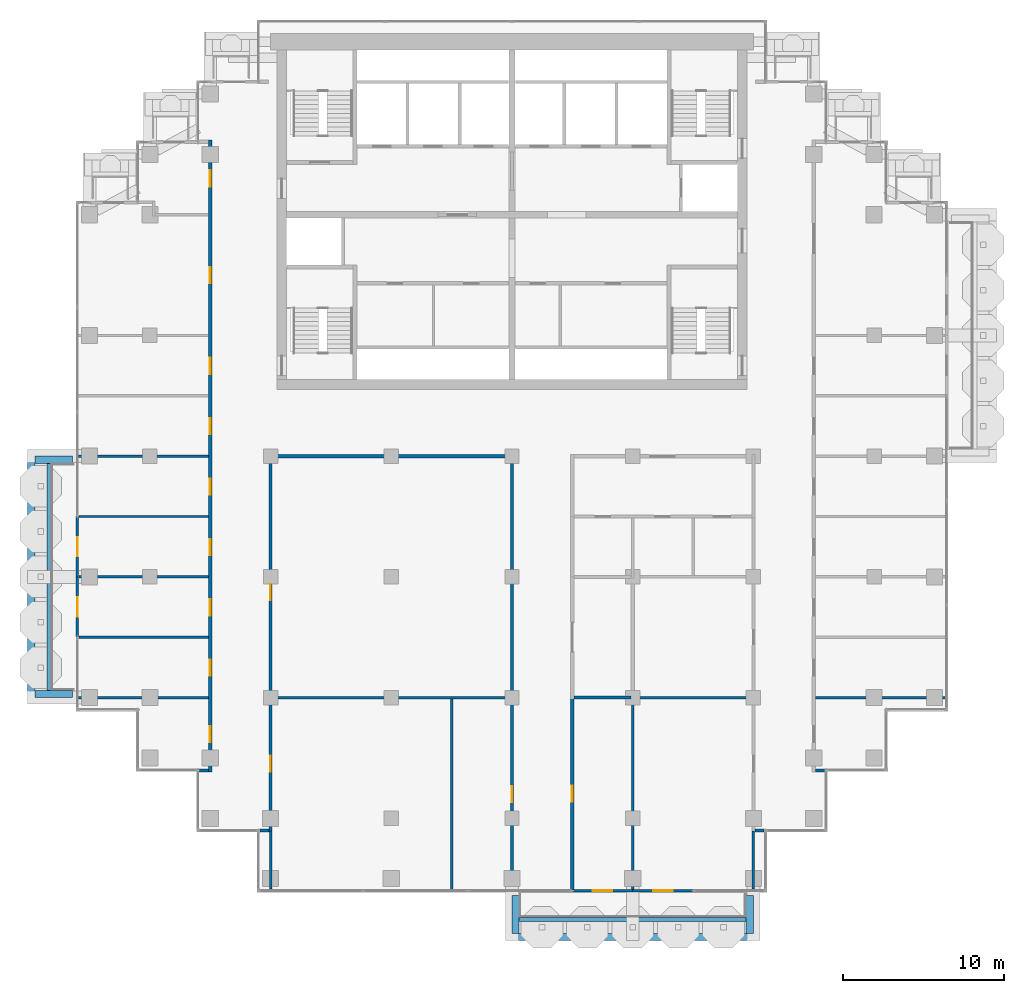
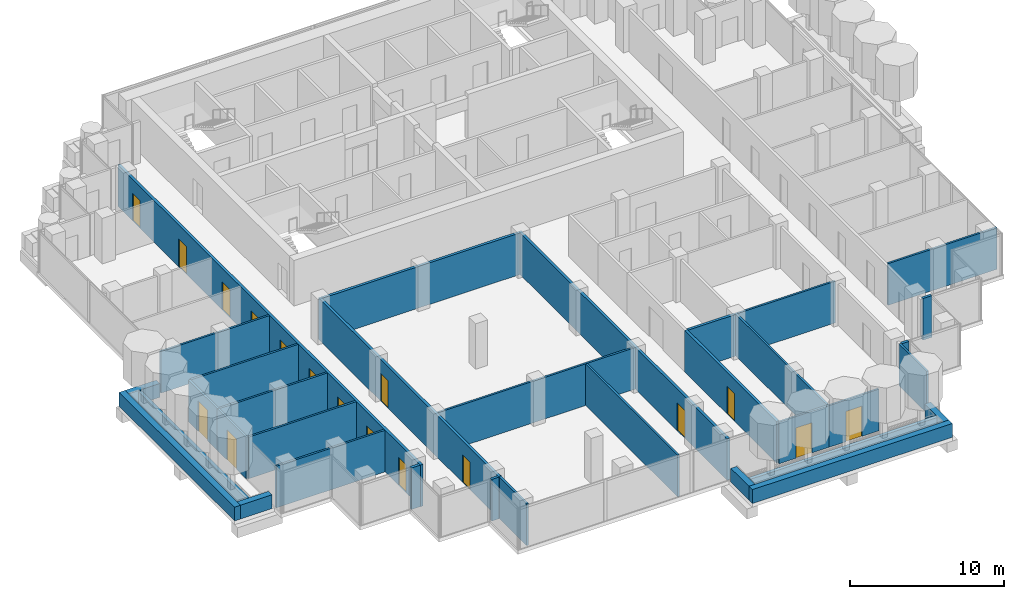
# One storey, part 11 of 19: 34 walls, 17 doors, 17 openings.
"""IFC4 building model written with IfcOpenShell, lengths in metres."""

from ifc_helpers import new_model, si_unit, direction, frame, frame_2d, origin, place, context, subcontext, project, spatial, rectangle, extrude, material, layer, layer_set, type_object, element, fill, save


model = new_model("IFC4")

# Units and contexts
model_context = context("Model", 3, precision=1e-05, world=origin(), true_north=direction((0.0, 1.0)))
body_context = subcontext(model_context, "Body", "Model", "MODEL_VIEW")
ifc_project = project(units=[si_unit("LENGTHUNIT", "METRE"), si_unit("AREAUNIT", "SQUARE_METRE"), si_unit("VOLUMEUNIT", "CUBIC_METRE"), si_unit("PLANEANGLEUNIT", "RADIAN"), si_unit("MASSUNIT", "GRAM", prefix="KILO")], contexts=[model_context])

# Site, building, storey
site_placement = place(None, origin())
site = spatial("IfcSite", under=ifc_project, at=site_placement, CompositionType="ELEMENT")
building_placement = place(site_placement, origin())
building = spatial("IfcBuilding", under=site, at=building_placement, Name="Pilkhan Gate Tower", CompositionType="ELEMENT")
storey_placement = place(building_placement, frame((0.0, 0.0, 217.5)))
storey = spatial("IfcBuildingStorey", under=building, at=storey_placement, Name="L56", CompositionType="ELEMENT", Elevation=217.5)

# Walls
ifc_material_1 = material(Name="Concrete C40/50", Category="concrete")
ifc_layer_1 = layer(ifc_material_1, 0.25)
ifc_layer_set_1 = layer_set([ifc_layer_1], Name="Balcony planter BP250")
wall_type_1 = type_object("IfcWallType", Name="Balcony planter BP250", PredefinedType="USERDEFINED", material=ifc_layer_set_1)
for number, where, z_axis, x_axis, name in (
    (1, (75.449951171875, 38.72509765625, 0.0), (0.0, 0.0, 1.0), (1.0, 0.0, 0.0), "Balcony planter L56 S"),
    (2, (46.22509765625, 52.949951171875, 0.0), (0.0, 0.0, 1.0), (0.0, 1.0, 0.0), "Balcony planter L56 W"),
):
    element("IfcWall", number, at=place(storey_placement, frame(where, z_axis=z_axis, x_axis=x_axis)), inside=storey, type_object=wall_type_1, Name=name, ObjectType="BALCONY PLANTER", PredefinedType="USERDEFINED", context=body_context, shape_type="SweptSolid", body=[
        extrude(rectangle(XDim=14.10009765625, YDim=0.25, at=frame_2d((7.050048828125, 0.0))), origin(), (0.0, 0.0, 1.0), 1.0),
    ])
ifc_material_2 = material(Name="Board-marked Concrete C40/50", Category="concrete")
ifc_layer_2 = layer(ifc_material_2, 0.449951171875)
ifc_layer_set_2 = layer_set([ifc_layer_2], Name="Balcony planter lip BL450")
wall_type_2 = type_object("IfcWallType", Name="Balcony planter lip BL450", PredefinedType="USERDEFINED", material=ifc_layer_set_2)
wall_1_placement = place(storey_placement, frame((75.0, 37.625, 0.0), z_axis=(0.0, 0.0, 1.0), x_axis=(1.0, 0.0, 0.0)))
element("IfcWall", 3, at=wall_1_placement, inside=storey, type_object=wall_type_2, Name="Balcony planter L56 S", ObjectType="BALCONY PLANTER", PredefinedType="USERDEFINED", context=body_context, shape_type="SweptSolid", body=[
    extrude(rectangle(XDim=15.0, YDim=0.449951171875, at=frame_2d((7.5, 0.0))), origin(), (0.0, 0.0, 1.0), 1.10009765625),
])
for number, where, z_axis, x_axis, name in (
    (4, (75.22509765625, 40.199951171875, 0.0), (0.0, 0.0, 1.0), (0.0, -1.0, 0.0), "Balcony planter L56 S"),
    (5, (89.77490234375, 40.199951171875, 0.0), (0.0, 0.0, 1.0), (0.0, -1.0, 0.0), "Balcony planter L56 S"),
):
    element("IfcWall", number, at=place(storey_placement, frame(where, z_axis=z_axis, x_axis=x_axis)), inside=storey, type_object=wall_type_2, Name=name, ObjectType="BALCONY PLANTER", PredefinedType="USERDEFINED", context=body_context, shape_type="SweptSolid", body=[
        extrude(rectangle(XDim=2.349853515625, YDim=0.449951171875, at=frame_2d((1.1748046875, 0.0))), origin(), (0.0, 0.0, 1.0), 1.10009765625),
    ])
wall_2_placement = place(storey_placement, frame((45.125, 52.5, 0.0), z_axis=(0.0, 0.0, 1.0), x_axis=(0.0, 1.0, 0.0)))
element("IfcWall", 6, at=wall_2_placement, inside=storey, type_object=wall_type_2, Name="Balcony planter L56 W", ObjectType="BALCONY PLANTER", PredefinedType="USERDEFINED", context=body_context, shape_type="SweptSolid", body=[
    extrude(rectangle(XDim=15.0, YDim=0.449951171875, at=frame_2d((7.5, 0.0))), origin(), (0.0, 0.0, 1.0), 1.10009765625),
])
for number, where, z_axis, x_axis, name in (
    (7, (47.699951171875, 52.72509765625, 0.0), (0.0, 0.0, 1.0), (-1.0, 0.0, 0.0), "Balcony planter L56 W"),
    (8, (47.699951171875, 67.27490234375, 0.0), (0.0, 0.0, 1.0), (-1.0, 0.0, 0.0), "Balcony planter L56 W"),
):
    element("IfcWall", number, at=place(storey_placement, frame(where, z_axis=z_axis, x_axis=x_axis)), inside=storey, type_object=wall_type_2, Name=name, ObjectType="BALCONY PLANTER", PredefinedType="USERDEFINED", context=body_context, shape_type="SweptSolid", body=[
        extrude(rectangle(XDim=2.349853515625, YDim=0.449951171875, at=frame_2d((1.1748046875, 0.0))), origin(), (0.0, 0.0, 1.0), 1.10009765625),
    ])
ifc_material_3 = material(Name="Dense blockwork", Category="masonry")
ifc_layer_3 = layer(ifc_material_3, 0.199951171875)
ifc_layer_set_3 = layer_set([ifc_layer_3], Name="Corridor wall FW200")
wall_type_3 = type_object("IfcWallType", Name="Corridor wall FW200", PredefinedType="PARTITIONING", material=ifc_layer_set_3)
for number, where, z_axis, x_axis, name in (
    (9, (59.35498046875, 44.235107421875, 0.0), (0.0, 0.0, 1.0), (1.0, 0.0, 0.0), "Partition L56"),
    (10, (90.10009765625, 44.235107421875, 0.0), (0.0, 0.0, 1.0), (1.0, 0.0, 0.0), "Partition L56"),
):
    element("IfcWall", number, at=place(storey_placement, frame(where, z_axis=z_axis, x_axis=x_axis)), inside=storey, type_object=wall_type_3, Name=name, PredefinedType="PARTITIONING", context=body_context, shape_type="SweptSolid", body=[
        extrude(rectangle(XDim=0.544921875, YDim=0.199951171875, at=frame_2d((0.2724609375, 0.0))), origin(), (0.0, 0.0, 1.0), 3.300048828125),
    ])
for number, where, z_axis, x_axis, name in (
    (11, (55.485107421875, 47.969970703125, 0.0), (0.0, 0.0, 1.0), (1.0, 0.0, 0.0), "Partition L56"),
    (12, (93.85009765625, 47.969970703125, 0.0), (0.0, 0.0, 1.0), (1.0, 0.0, 0.0), "Partition L56"),
):
    element("IfcWall", number, at=place(storey_placement, frame(where, z_axis=z_axis, x_axis=x_axis)), inside=storey, type_object=wall_type_3, Name=name, PredefinedType="PARTITIONING", context=body_context, shape_type="SweptSolid", body=[
        extrude(rectangle(XDim=0.664794921875, YDim=0.199951171875, at=frame_2d((0.33251953125, 0.0))), origin(), (0.0, 0.0, 1.0), 3.300048828125),
    ])
wall_3_placement = place(storey_placement, frame((60.10009765625, 67.5, 0.0), z_axis=(0.0, 0.0, 1.0), x_axis=(1.0, 0.0, 0.0)))
element("IfcWall", 13, at=wall_3_placement, inside=storey, type_object=wall_type_3, Name="Partition L56", PredefinedType="PARTITIONING", context=body_context, shape_type="SweptSolid", body=[
    extrude(rectangle(XDim=14.7998046875, YDim=0.199951171875, at=frame_2d((7.39990234375, 0.0))), origin(), (0.0, 0.0, 1.0), 3.300048828125),
])

# Wall, openings, doors
wall_4_placement = place(storey_placement, frame((56.25, 47.8701171875, 0.0), z_axis=(0.0, 0.0, 1.0), x_axis=(0.0, 1.0, 0.0)))
wall_4 = element("IfcWall", 14, at=wall_4_placement, inside=storey, type_object=wall_type_3, Name="Partition L56", PredefinedType="PARTITIONING", context=body_context, shape_type="SweptSolid", body=[
    extrude(rectangle(XDim=39.259765625, YDim=0.199951171875, at=frame_2d((19.6298828125, 0.0))), origin(), (0.0, 0.0, 1.0), 3.300048828125),
])
opening_1_placement = place(wall_4_placement, frame((1.85009765625, 0.0, 0.0)))
opening_1 = element("IfcOpeningElement", 15, at=opening_1_placement, cuts=wall_4, Name="Opening L56-23", PredefinedType="OPENING", context=body_context, shape_type="SweptSolid", body=[
    extrude(rectangle(XDim=1.0, YDim=2.199951171875, at=frame_2d((0.5, 1.10009765625))), frame((0.0, 0.10986328125, 0.0), z_axis=(0.0, -1.0, 0.0), x_axis=(1.0, 0.0, 0.0)), (0.0, 0.0, 1.0), 0.219970703125),
])
opening_2_placement = place(wall_4_placement, frame((5.97998046875, 0.0, 0.0)))
opening_2 = element("IfcOpeningElement", 16, at=opening_2_placement, cuts=wall_4, Name="Opening L56-24", PredefinedType="OPENING", context=body_context, shape_type="SweptSolid", body=[
    extrude(rectangle(XDim=1.0, YDim=2.199951171875, at=frame_2d((0.5, 1.10009765625))), frame((0.0, 0.10986328125, 0.0), z_axis=(0.0, -1.0, 0.0), x_axis=(1.0, 0.0, 0.0)), (0.0, 0.0, 1.0), 0.219970703125),
])
opening_3_placement = place(wall_4_placement, frame((9.72998046875, 0.0, 0.0)))
opening_3 = element("IfcOpeningElement", 17, at=opening_3_placement, cuts=wall_4, Name="Opening L56-25", PredefinedType="OPENING", context=body_context, shape_type="SweptSolid", body=[
    extrude(rectangle(XDim=1.0, YDim=2.199951171875, at=frame_2d((0.5, 1.10009765625))), frame((0.0, 0.10986328125, 0.0), z_axis=(0.0, -1.0, 0.0), x_axis=(1.0, 0.0, 0.0)), (0.0, 0.0, 1.0), 0.219970703125),
])
opening_4_placement = place(wall_4_placement, frame((13.47998046875, 0.0, 0.0)))
opening_4 = element("IfcOpeningElement", 18, at=opening_4_placement, cuts=wall_4, Name="Opening L56-26", PredefinedType="OPENING", context=body_context, shape_type="SweptSolid", body=[
    extrude(rectangle(XDim=1.0, YDim=2.199951171875, at=frame_2d((0.5, 1.10009765625))), frame((0.0, 0.10986328125, 0.0), z_axis=(0.0, -1.0, 0.0), x_axis=(1.0, 0.0, 0.0)), (0.0, 0.0, 1.0), 0.219970703125),
])
opening_5_placement = place(wall_4_placement, frame((17.22998046875, 0.0, 0.0)))
opening_5 = element("IfcOpeningElement", 19, at=opening_5_placement, cuts=wall_4, Name="Opening L56-27", PredefinedType="OPENING", context=body_context, shape_type="SweptSolid", body=[
    extrude(rectangle(XDim=1.0, YDim=2.199951171875, at=frame_2d((0.5, 1.10009765625))), frame((0.0, 0.10986328125, 0.0), z_axis=(0.0, -1.0, 0.0), x_axis=(1.0, 0.0, 0.0)), (0.0, 0.0, 1.0), 0.219970703125),
])
opening_6_placement = place(wall_4_placement, frame((20.97998046875, 0.0, 0.0)))
opening_6 = element("IfcOpeningElement", 20, at=opening_6_placement, cuts=wall_4, Name="Opening L56-28", PredefinedType="OPENING", context=body_context, shape_type="SweptSolid", body=[
    extrude(rectangle(XDim=1.0, YDim=2.199951171875, at=frame_2d((0.5, 1.10009765625))), frame((0.0, 0.10986328125, 0.0), z_axis=(0.0, -1.0, 0.0), x_axis=(1.0, 0.0, 0.0)), (0.0, 0.0, 1.0), 0.219970703125),
])
opening_7_placement = place(wall_4_placement, frame((24.72998046875, 0.0, 0.0)))
opening_7 = element("IfcOpeningElement", 21, at=opening_7_placement, cuts=wall_4, Name="Opening L56-29", PredefinedType="OPENING", context=body_context, shape_type="SweptSolid", body=[
    extrude(rectangle(XDim=1.0, YDim=2.199951171875, at=frame_2d((0.5, 1.10009765625))), frame((0.0, 0.10986328125, 0.0), z_axis=(0.0, -1.0, 0.0), x_axis=(1.0, 0.0, 0.0)), (0.0, 0.0, 1.0), 0.219970703125),
])
opening_8_placement = place(wall_4_placement, frame((30.3798828125, 0.0, 0.0)))
opening_8 = element("IfcOpeningElement", 22, at=opening_8_placement, cuts=wall_4, Name="Opening L56-37", PredefinedType="OPENING", context=body_context, shape_type="SweptSolid", body=[
    extrude(rectangle(XDim=1.0, YDim=2.199951171875, at=frame_2d((0.5, 1.10009765625))), frame((0.0, 0.10986328125, 0.0), z_axis=(0.0, -1.0, 0.0), x_axis=(1.0, 0.0, 0.0)), (0.0, 0.0, 1.0), 0.219970703125),
])
opening_9_placement = place(wall_4_placement, frame((36.3798828125, 0.0, 0.0)))
opening_9 = element("IfcOpeningElement", 23, at=opening_9_placement, cuts=wall_4, Name="Opening L56-38", PredefinedType="OPENING", context=body_context, shape_type="SweptSolid", body=[
    extrude(rectangle(XDim=1.0, YDim=2.199951171875, at=frame_2d((0.5, 1.10009765625))), frame((0.0, 0.10986328125, 0.0), z_axis=(0.0, -1.0, 0.0), x_axis=(1.0, 0.0, 0.0)), (0.0, 0.0, 1.0), 0.219970703125),
])
ifc_material_4 = material(Name="Timber flush door, 30 minute fire resisting", Category="wood")
door_type_1 = type_object("IfcDoorType", Name="Room door D03 1000x2200", OperationType="SINGLE_SWING_LEFT", PredefinedType="DOOR", material=ifc_material_4)
door_1_placement = place(opening_1_placement, origin())
door_1 = element("IfcDoor", 24, at=door_1_placement, inside=storey, type_object=door_type_1, Name="Room door", OperationType="SINGLE_SWING_LEFT", OverallHeight=2.199951171875, OverallWidth=1.0, PredefinedType="DOOR", context=body_context, shape_type="SweptSolid", body=[
    extrude(rectangle(XDim=1.0, YDim=2.199951171875, at=frame_2d((0.5, 1.10009765625))), frame((0.0, 0.02490234375, 0.0), z_axis=(0.0, -1.0, 0.0), x_axis=(1.0, 0.0, 0.0)), (0.0, 0.0, 1.0), 0.050048828125),
])
fill(opening_1, door_1)
door_2_placement = place(opening_2_placement, origin())
door_2 = element("IfcDoor", 25, at=door_2_placement, inside=storey, type_object=door_type_1, Name="Room door", OperationType="SINGLE_SWING_LEFT", OverallHeight=2.199951171875, OverallWidth=1.0, PredefinedType="DOOR", context=body_context, shape_type="SweptSolid", body=[
    extrude(rectangle(XDim=1.0, YDim=2.199951171875, at=frame_2d((0.5, 1.10009765625))), frame((0.0, 0.02490234375, 0.0), z_axis=(0.0, -1.0, 0.0), x_axis=(1.0, 0.0, 0.0)), (0.0, 0.0, 1.0), 0.050048828125),
])
fill(opening_2, door_2)
door_3_placement = place(opening_3_placement, origin())
door_3 = element("IfcDoor", 26, at=door_3_placement, inside=storey, type_object=door_type_1, Name="Room door", OperationType="SINGLE_SWING_RIGHT", OverallHeight=2.199951171875, OverallWidth=1.0, PredefinedType="DOOR", context=body_context, shape_type="SweptSolid", body=[
    extrude(rectangle(XDim=1.0, YDim=2.199951171875, at=frame_2d((0.5, 1.10009765625))), frame((0.0, 0.02490234375, 0.0), z_axis=(0.0, -1.0, 0.0), x_axis=(1.0, 0.0, 0.0)), (0.0, 0.0, 1.0), 0.050048828125),
])
fill(opening_3, door_3)
door_4_placement = place(opening_4_placement, origin())
door_4 = element("IfcDoor", 27, at=door_4_placement, inside=storey, type_object=door_type_1, Name="Room door", OperationType="SINGLE_SWING_LEFT", OverallHeight=2.199951171875, OverallWidth=1.0, PredefinedType="DOOR", context=body_context, shape_type="SweptSolid", body=[
    extrude(rectangle(XDim=1.0, YDim=2.199951171875, at=frame_2d((0.5, 1.10009765625))), frame((0.0, 0.02490234375, 0.0), z_axis=(0.0, -1.0, 0.0), x_axis=(1.0, 0.0, 0.0)), (0.0, 0.0, 1.0), 0.050048828125),
])
fill(opening_4, door_4)
door_5_placement = place(opening_5_placement, origin())
door_5 = element("IfcDoor", 28, at=door_5_placement, inside=storey, type_object=door_type_1, Name="Room door", OperationType="SINGLE_SWING_LEFT", OverallHeight=2.199951171875, OverallWidth=1.0, PredefinedType="DOOR", context=body_context, shape_type="SweptSolid", body=[
    extrude(rectangle(XDim=1.0, YDim=2.199951171875, at=frame_2d((0.5, 1.10009765625))), frame((0.0, 0.02490234375, 0.0), z_axis=(0.0, -1.0, 0.0), x_axis=(1.0, 0.0, 0.0)), (0.0, 0.0, 1.0), 0.050048828125),
])
fill(opening_5, door_5)
door_6_placement = place(opening_6_placement, origin())
door_6 = element("IfcDoor", 29, at=door_6_placement, inside=storey, type_object=door_type_1, Name="Room door", OperationType="SINGLE_SWING_LEFT", OverallHeight=2.199951171875, OverallWidth=1.0, PredefinedType="DOOR", context=body_context, shape_type="SweptSolid", body=[
    extrude(rectangle(XDim=1.0, YDim=2.199951171875, at=frame_2d((0.5, 1.10009765625))), frame((0.0, 0.02490234375, 0.0), z_axis=(0.0, -1.0, 0.0), x_axis=(1.0, 0.0, 0.0)), (0.0, 0.0, 1.0), 0.050048828125),
])
fill(opening_6, door_6)
door_7_placement = place(opening_7_placement, origin())
door_7 = element("IfcDoor", 30, at=door_7_placement, inside=storey, type_object=door_type_1, Name="Room door", OperationType="SINGLE_SWING_RIGHT", OverallHeight=2.199951171875, OverallWidth=1.0, PredefinedType="DOOR", context=body_context, shape_type="SweptSolid", body=[
    extrude(rectangle(XDim=1.0, YDim=2.199951171875, at=frame_2d((0.5, 1.10009765625))), frame((0.0, 0.02490234375, 0.0), z_axis=(0.0, -1.0, 0.0), x_axis=(1.0, 0.0, 0.0)), (0.0, 0.0, 1.0), 0.050048828125),
])
fill(opening_7, door_7)
door_8_placement = place(opening_8_placement, origin())
door_8 = element("IfcDoor", 31, at=door_8_placement, inside=storey, type_object=door_type_1, Name="Room door", OperationType="SINGLE_SWING_LEFT", OverallHeight=2.199951171875, OverallWidth=1.0, PredefinedType="DOOR", context=body_context, shape_type="SweptSolid", body=[
    extrude(rectangle(XDim=1.0, YDim=2.199951171875, at=frame_2d((0.5, 1.10009765625))), frame((0.0, 0.02490234375, 0.0), z_axis=(0.0, -1.0, 0.0), x_axis=(1.0, 0.0, 0.0)), (0.0, 0.0, 1.0), 0.050048828125),
])
fill(opening_8, door_8)
door_9_placement = place(opening_9_placement, origin())
door_9 = element("IfcDoor", 32, at=door_9_placement, inside=storey, type_object=door_type_1, Name="Room door", OperationType="SINGLE_SWING_RIGHT", OverallHeight=2.199951171875, OverallWidth=1.0, PredefinedType="DOOR", context=body_context, shape_type="SweptSolid", body=[
    extrude(rectangle(XDim=1.0, YDim=2.199951171875, at=frame_2d((0.5, 1.10009765625))), frame((0.0, 0.02490234375, 0.0), z_axis=(0.0, -1.0, 0.0), x_axis=(1.0, 0.0, 0.0)), (0.0, 0.0, 1.0), 0.050048828125),
])
fill(opening_9, door_9)

wall_5_placement = place(storey_placement, frame((60.0, 44.135009765625, 0.0), z_axis=(0.0, 0.0, 1.0), x_axis=(0.0, 1.0, 0.0)))
wall_5 = element("IfcWall", 33, at=wall_5_placement, inside=storey, type_object=wall_type_3, Name="Partition L56", PredefinedType="PARTITIONING", context=body_context, shape_type="SweptSolid", body=[
    extrude(rectangle(XDim=23.465087890625, YDim=0.199951171875, at=frame_2d((11.732421875, 0.0))), origin(), (0.0, 0.0, 1.0), 3.300048828125),
])
opening_10_placement = place(wall_5_placement, frame((3.75, 0.0, 0.0)))
opening_10 = element("IfcOpeningElement", 34, at=opening_10_placement, cuts=wall_5, Name="Opening L56-16", PredefinedType="OPENING", context=body_context, shape_type="SweptSolid", body=[
    extrude(rectangle(XDim=1.0, YDim=2.199951171875, at=frame_2d((0.5, 1.10009765625))), frame((0.0, 0.10986328125, 0.0), z_axis=(0.0, -1.0, 0.0), x_axis=(1.0, 0.0, 0.0)), (0.0, 0.0, 1.0), 0.219970703125),
])
opening_11_placement = place(wall_5_placement, frame((14.4150390625, 0.0, 0.0)))
opening_11 = element("IfcOpeningElement", 35, at=opening_11_placement, cuts=wall_5, Name="Opening L56-18", PredefinedType="OPENING", context=body_context, shape_type="SweptSolid", body=[
    extrude(rectangle(XDim=1.0, YDim=2.199951171875, at=frame_2d((0.5, 1.10009765625))), frame((0.0, 0.10986328125, 0.0), z_axis=(0.0, -1.0, 0.0), x_axis=(1.0, 0.0, 0.0)), (0.0, 0.0, 1.0), 0.219970703125),
])
door_10_placement = place(opening_10_placement, origin())
door_10 = element("IfcDoor", 36, at=door_10_placement, inside=storey, type_object=door_type_1, Name="Room door", OperationType="SINGLE_SWING_RIGHT", OverallHeight=2.199951171875, OverallWidth=1.0, PredefinedType="DOOR", context=body_context, shape_type="SweptSolid", body=[
    extrude(rectangle(XDim=1.0, YDim=2.199951171875, at=frame_2d((0.5, 1.10009765625))), frame((0.0, 0.02490234375, 0.0), z_axis=(0.0, -1.0, 0.0), x_axis=(1.0, 0.0, 0.0)), (0.0, 0.0, 1.0), 0.050048828125),
])
fill(opening_10, door_10)
door_11_placement = place(opening_11_placement, origin())
door_11 = element("IfcDoor", 37, at=door_11_placement, inside=storey, type_object=door_type_1, Name="Room door", OperationType="SINGLE_SWING_LEFT", OverallHeight=2.199951171875, OverallWidth=1.0, PredefinedType="DOOR", context=body_context, shape_type="SweptSolid", body=[
    extrude(rectangle(XDim=1.0, YDim=2.199951171875, at=frame_2d((0.5, 1.10009765625))), frame((0.0, 0.02490234375, 0.0), z_axis=(0.0, -1.0, 0.0), x_axis=(1.0, 0.0, 0.0)), (0.0, 0.0, 1.0), 0.050048828125),
])
fill(opening_11, door_11)

# Wall, opening, door
wall_6_placement = place(storey_placement, frame((75.0, 40.485107421875, 0.0), z_axis=(0.0, 0.0, 1.0), x_axis=(0.0, 1.0, 0.0)))
wall_6 = element("IfcWall", 38, at=wall_6_placement, inside=storey, type_object=wall_type_3, Name="Partition L56", PredefinedType="PARTITIONING", context=body_context, shape_type="SweptSolid", body=[
    extrude(rectangle(XDim=27.114990234375, YDim=0.199951171875, at=frame_2d((13.5576171875, 0.0))), origin(), (0.0, 0.0, 1.0), 3.300048828125),
])
opening_12_placement = place(wall_6_placement, frame((5.5, 0.0, 0.0)))
opening_12 = element("IfcOpeningElement", 39, at=opening_12_placement, cuts=wall_6, Name="Opening L56-17", PredefinedType="OPENING", context=body_context, shape_type="SweptSolid", body=[
    extrude(rectangle(XDim=1.0, YDim=2.199951171875, at=frame_2d((0.5, 1.10009765625))), frame((0.0, 0.10986328125, 0.0), z_axis=(0.0, -1.0, 0.0), x_axis=(1.0, 0.0, 0.0)), (0.0, 0.0, 1.0), 0.219970703125),
])
door_12_placement = place(opening_12_placement, origin())
door_12 = element("IfcDoor", 40, at=door_12_placement, inside=storey, type_object=door_type_1, Name="Room door", OperationType="SINGLE_SWING_LEFT", OverallHeight=2.199951171875, OverallWidth=1.0, PredefinedType="DOOR", context=body_context, shape_type="SweptSolid", body=[
    extrude(rectangle(XDim=1.0, YDim=2.199951171875, at=frame_2d((0.5, 1.10009765625))), frame((0.0, 0.02490234375, 0.0), z_axis=(0.0, -1.0, 0.0), x_axis=(1.0, 0.0, 0.0)), (0.0, 0.0, 1.0), 0.050048828125),
])
fill(opening_12, door_12)

wall_7_placement = place(storey_placement, frame((78.75, 40.5849609375, 0.0), z_axis=(0.0, 0.0, 1.0), x_axis=(0.0, 1.0, 0.0)))
wall_7 = element("IfcWall", 41, at=wall_7_placement, inside=storey, type_object=wall_type_3, Name="Partition L56", PredefinedType="PARTITIONING", context=body_context, shape_type="SweptSolid", body=[
    extrude(rectangle(XDim=11.9150390625, YDim=0.199951171875, at=frame_2d((5.95751953125, 0.0))), origin(), (0.0, 0.0, 1.0), 3.300048828125),
])
opening_13_placement = place(wall_7_placement, frame((5.449951171875, 0.0, 0.0)))
opening_13 = element("IfcOpeningElement", 42, at=opening_13_placement, cuts=wall_7, Name="Opening L56-19", PredefinedType="OPENING", context=body_context, shape_type="SweptSolid", body=[
    extrude(rectangle(XDim=1.0, YDim=2.199951171875, at=frame_2d((0.5, 1.10009765625))), frame((0.0, 0.10986328125, 0.0), z_axis=(0.0, -1.0, 0.0), x_axis=(1.0, 0.0, 0.0)), (0.0, 0.0, 1.0), 0.219970703125),
])
door_13_placement = place(opening_13_placement, origin())
door_13 = element("IfcDoor", 43, at=door_13_placement, inside=storey, type_object=door_type_1, Name="Room door", OperationType="SINGLE_SWING_RIGHT", OverallHeight=2.199951171875, OverallWidth=1.0, PredefinedType="DOOR", context=body_context, shape_type="SweptSolid", body=[
    extrude(rectangle(XDim=1.0, YDim=2.199951171875, at=frame_2d((0.5, 1.10009765625))), frame((0.0, 0.02490234375, 0.0), z_axis=(0.0, -1.0, 0.0), x_axis=(1.0, 0.0, 0.0)), (0.0, 0.0, 1.0), 0.050048828125),
])
fill(opening_13, door_13)

ifc_material_5 = material(Name="Pale anodised aluminium, clear laminated glazing", Category="aluminium")
ifc_layer_4 = layer(ifc_material_5, 0.14990234375)
ifc_layer_set_4 = layer_set([ifc_layer_4], Name="Facade infill wall IW150")
wall_type_4 = type_object("IfcWallType", Name="Facade infill wall IW150", PredefinedType="SOLIDWALL", material=ifc_layer_set_4)
wall_8_placement = place(storey_placement, frame((48.0, 56.25, 0.0), z_axis=(0.0, 0.0, 1.0), x_axis=(0.0, 1.0, 0.0)))
wall_8 = element("IfcWall", 44, at=wall_8_placement, inside=storey, type_object=wall_type_4, Name="Infill wall L56 W", PredefinedType="SOLIDWALL", context=body_context, shape_type="SweptSolid", body=[
    extrude(rectangle(XDim=3.75, YDim=0.14990234375, at=frame_2d((1.875, 0.0))), origin(), (0.0, 0.0, 1.0), 3.300048828125),
])
opening_14_placement = place(wall_8_placement, frame((1.27490234375, 0.0, 0.0)))
opening_14 = element("IfcOpeningElement", 45, at=opening_14_placement, cuts=wall_8, Name="Opening D1", PredefinedType="OPENING", context=body_context, shape_type="SweptSolid", body=[
    extrude(rectangle(XDim=1.199951171875, YDim=2.39990234375, at=frame_2d((0.60009765625, 1.199951171875))), frame((0.0, 0.0849609375, 0.0), z_axis=(0.0, -1.0, 0.0), x_axis=(1.0, 0.0, 0.0)), (0.0, 0.0, 1.0), 0.169921875),
])
ifc_material_6 = material(Name="Pale anodised aluminium, clear glazing", Category="aluminium")
door_type_2 = type_object("IfcDoorType", Name="Balcony door D1 1200x2400", OperationType="SINGLE_SWING_LEFT", PredefinedType="DOOR", material=ifc_material_6)
door_14_placement = place(opening_14_placement, origin())
door_14 = element("IfcDoor", 46, at=door_14_placement, inside=storey, type_object=door_type_2, Name="Balcony door L56", OperationType="SINGLE_SWING_LEFT", OverallHeight=2.39990234375, OverallWidth=1.199951171875, PredefinedType="DOOR", context=body_context, shape_type="SweptSolid", body=[
    extrude(rectangle(XDim=1.199951171875, YDim=2.39990234375, at=frame_2d((0.60009765625, 1.199951171875))), frame((0.0, 0.02490234375, 0.0), z_axis=(0.0, -1.0, 0.0), x_axis=(1.0, 0.0, 0.0)), (0.0, 0.0, 1.0), 0.050048828125),
])
fill(opening_14, door_14)

wall_9_placement = place(storey_placement, frame((48.0, 60.0, 0.0), z_axis=(0.0, 0.0, 1.0), x_axis=(0.0, 1.0, 0.0)))
wall_9 = element("IfcWall", 47, at=wall_9_placement, inside=storey, type_object=wall_type_4, Name="Infill wall L56 W", PredefinedType="SOLIDWALL", context=body_context, shape_type="SweptSolid", body=[
    extrude(rectangle(XDim=3.75, YDim=0.14990234375, at=frame_2d((1.875, 0.0))), origin(), (0.0, 0.0, 1.0), 3.300048828125),
])
opening_15_placement = place(wall_9_placement, frame((1.27490234375, 0.0, 0.0)))
opening_15 = element("IfcOpeningElement", 48, at=opening_15_placement, cuts=wall_9, Name="Opening D1", PredefinedType="OPENING", context=body_context, shape_type="SweptSolid", body=[
    extrude(rectangle(XDim=1.199951171875, YDim=2.39990234375, at=frame_2d((0.60009765625, 1.199951171875))), frame((0.0, 0.0849609375, 0.0), z_axis=(0.0, -1.0, 0.0), x_axis=(1.0, 0.0, 0.0)), (0.0, 0.0, 1.0), 0.169921875),
])
door_15_placement = place(opening_15_placement, origin())
door_15 = element("IfcDoor", 49, at=door_15_placement, inside=storey, type_object=door_type_2, Name="Balcony door L56", OperationType="SINGLE_SWING_LEFT", OverallHeight=2.39990234375, OverallWidth=1.199951171875, PredefinedType="DOOR", context=body_context, shape_type="SweptSolid", body=[
    extrude(rectangle(XDim=1.199951171875, YDim=2.39990234375, at=frame_2d((0.60009765625, 1.199951171875))), frame((0.0, 0.02490234375, 0.0), z_axis=(0.0, -1.0, 0.0), x_axis=(1.0, 0.0, 0.0)), (0.0, 0.0, 1.0), 0.050048828125),
])
fill(opening_15, door_15)

wall_10_placement = place(storey_placement, frame((78.75, 40.5, 0.0), z_axis=(0.0, 0.0, 1.0), x_axis=(1.0, 0.0, 0.0)))
wall_10 = element("IfcWall", 50, at=wall_10_placement, inside=storey, type_object=wall_type_4, Name="Infill wall L56 S", PredefinedType="SOLIDWALL", context=body_context, shape_type="SweptSolid", body=[
    extrude(rectangle(XDim=3.75, YDim=0.14990234375, at=frame_2d((1.875, 0.0))), origin(), (0.0, 0.0, 1.0), 3.300048828125),
])
opening_16_placement = place(wall_10_placement, frame((1.27490234375, 0.0, 0.0)))
opening_16 = element("IfcOpeningElement", 51, at=opening_16_placement, cuts=wall_10, Name="Opening D1", PredefinedType="OPENING", context=body_context, shape_type="SweptSolid", body=[
    extrude(rectangle(XDim=1.199951171875, YDim=2.39990234375, at=frame_2d((0.60009765625, 1.199951171875))), frame((0.0, 0.0849609375, 0.0), z_axis=(0.0, -1.0, 0.0), x_axis=(1.0, 0.0, 0.0)), (0.0, 0.0, 1.0), 0.169921875),
])
door_16_placement = place(opening_16_placement, origin())
door_16 = element("IfcDoor", 52, at=door_16_placement, inside=storey, type_object=door_type_2, Name="Balcony door L56", OperationType="SINGLE_SWING_LEFT", OverallHeight=2.39990234375, OverallWidth=1.199951171875, PredefinedType="DOOR", context=body_context, shape_type="SweptSolid", body=[
    extrude(rectangle(XDim=1.199951171875, YDim=2.39990234375, at=frame_2d((0.60009765625, 1.199951171875))), frame((0.0, 0.02490234375, 0.0), z_axis=(0.0, -1.0, 0.0), x_axis=(1.0, 0.0, 0.0)), (0.0, 0.0, 1.0), 0.050048828125),
])
fill(opening_16, door_16)

wall_11_placement = place(storey_placement, frame((82.5, 40.5, 0.0), z_axis=(0.0, 0.0, 1.0), x_axis=(1.0, 0.0, 0.0)))
wall_11 = element("IfcWall", 53, at=wall_11_placement, inside=storey, type_object=wall_type_4, Name="Infill wall L56 S", PredefinedType="SOLIDWALL", context=body_context, shape_type="SweptSolid", body=[
    extrude(rectangle(XDim=3.75, YDim=0.14990234375, at=frame_2d((1.875, 0.0))), origin(), (0.0, 0.0, 1.0), 3.300048828125),
])
opening_17_placement = place(wall_11_placement, frame((1.27490234375, 0.0, 0.0)))
opening_17 = element("IfcOpeningElement", 54, at=opening_17_placement, cuts=wall_11, Name="Opening D1", PredefinedType="OPENING", context=body_context, shape_type="SweptSolid", body=[
    extrude(rectangle(XDim=1.199951171875, YDim=2.39990234375, at=frame_2d((0.60009765625, 1.199951171875))), frame((0.0, 0.0849609375, 0.0), z_axis=(0.0, -1.0, 0.0), x_axis=(1.0, 0.0, 0.0)), (0.0, 0.0, 1.0), 0.169921875),
])
door_17_placement = place(opening_17_placement, origin())
door_17 = element("IfcDoor", 55, at=door_17_placement, inside=storey, type_object=door_type_2, Name="Balcony door L56", OperationType="SINGLE_SWING_LEFT", OverallHeight=2.39990234375, OverallWidth=1.199951171875, PredefinedType="DOOR", context=body_context, shape_type="SweptSolid", body=[
    extrude(rectangle(XDim=1.199951171875, YDim=2.39990234375, at=frame_2d((0.60009765625, 1.199951171875))), frame((0.0, 0.02490234375, 0.0), z_axis=(0.0, -1.0, 0.0), x_axis=(1.0, 0.0, 0.0)), (0.0, 0.0, 1.0), 0.050048828125),
])
fill(opening_17, door_17)

# Walls
ifc_layer_5 = layer(ifc_material_3, 0.199951171875)
ifc_layer_set_5 = layer_set([ifc_layer_5], Name="Lobby wall LW200")
wall_type_5 = type_object("IfcWallType", Name="Lobby wall LW200", PredefinedType="PARTITIONING", material=ifc_layer_set_5)
wall_12_placement = place(storey_placement, frame((78.85009765625, 52.5, 0.0), z_axis=(0.0, 0.0, 1.0), x_axis=(1.0, 0.0, 0.0)))
element("IfcWall", 56, at=wall_12_placement, inside=storey, type_object=wall_type_5, Name="Partition L56", PredefinedType="PARTITIONING", context=body_context, shape_type="SweptSolid", body=[
    extrude(rectangle(XDim=3.5498046875, YDim=0.199951171875, at=frame_2d((1.77490234375, 0.0))), origin(), (0.0, 0.0, 1.0), 3.300048828125),
])
ifc_material_7 = material(Name="Blockwork partition, plastered both sides", Category="masonry")
ifc_layer_6 = layer(ifc_material_7, 0.14990234375)
ifc_layer_set_6 = layer_set([ifc_layer_6], Name="Partition PW150")
wall_type_6 = type_object("IfcWallType", Name="Partition PW150", PredefinedType="PARTITIONING", material=ifc_layer_set_6)
wall_13_placement = place(storey_placement, frame((47.985107421875, 52.5, 0.0), z_axis=(0.0, 0.0, 1.0), x_axis=(1.0, 0.0, 0.0)))
element("IfcWall", 57, at=wall_13_placement, inside=storey, type_object=wall_type_6, Name="Partition L56", PredefinedType="PARTITIONING", context=body_context, shape_type="SweptSolid", body=[
    extrude(rectangle(XDim=8.164794921875, YDim=0.14990234375, at=frame_2d((4.08251953125, 0.0))), origin(), (0.0, 0.0, 1.0), 3.300048828125),
])
wall_14_placement = place(storey_placement, frame((60.10009765625, 52.5, 0.0), z_axis=(0.0, 0.0, 1.0), x_axis=(1.0, 0.0, 0.0)))
element("IfcWall", 58, at=wall_14_placement, inside=storey, type_object=wall_type_6, Name="Partition L56", PredefinedType="PARTITIONING", context=body_context, shape_type="SweptSolid", body=[
    extrude(rectangle(XDim=14.7998046875, YDim=0.14990234375, at=frame_2d((7.39990234375, 0.0))), origin(), (0.0, 0.0, 1.0), 3.300048828125),
])
wall_15_placement = place(storey_placement, frame((82.60009765625, 52.5, 0.0), z_axis=(0.0, 0.0, 1.0), x_axis=(1.0, 0.0, 0.0)))
element("IfcWall", 59, at=wall_15_placement, inside=storey, type_object=wall_type_6, Name="Partition L56", PredefinedType="PARTITIONING", context=body_context, shape_type="SweptSolid", body=[
    extrude(rectangle(XDim=7.2998046875, YDim=0.14990234375, at=frame_2d((3.64990234375, 0.0))), origin(), (0.0, 0.0, 1.0), 3.300048828125),
])
wall_16_placement = place(storey_placement, frame((93.85009765625, 52.5, 0.0), z_axis=(0.0, 0.0, 1.0), x_axis=(1.0, 0.0, 0.0)))
element("IfcWall", 60, at=wall_16_placement, inside=storey, type_object=wall_type_6, Name="Partition L56", PredefinedType="PARTITIONING", context=body_context, shape_type="SweptSolid", body=[
    extrude(rectangle(XDim=8.164794921875, YDim=0.14990234375, at=frame_2d((4.08251953125, 0.0))), origin(), (0.0, 0.0, 1.0), 3.300048828125),
])
for number, where, z_axis, x_axis, name in (
    (61, (48.0849609375, 56.25, 0.0), (0.0, 0.0, 1.0), (1.0, 0.0, 0.0), "Partition L56"),
    (62, (48.0849609375, 60.0, 0.0), (0.0, 0.0, 1.0), (1.0, 0.0, 0.0), "Partition L56"),
    (63, (48.0849609375, 63.75, 0.0), (0.0, 0.0, 1.0), (1.0, 0.0, 0.0), "Partition L56"),
):
    element("IfcWall", number, at=place(storey_placement, frame(where, z_axis=z_axis, x_axis=x_axis)), inside=storey, type_object=wall_type_6, Name=name, PredefinedType="PARTITIONING", context=body_context, shape_type="SweptSolid", body=[
        extrude(rectangle(XDim=8.06494140625, YDim=0.14990234375, at=frame_2d((4.032470703125, 0.0))), origin(), (0.0, 0.0, 1.0), 3.300048828125),
    ])
wall_17_placement = place(storey_placement, frame((47.985107421875, 67.5, 0.0), z_axis=(0.0, 0.0, 1.0), x_axis=(1.0, 0.0, 0.0)))
element("IfcWall", 64, at=wall_17_placement, inside=storey, type_object=wall_type_6, Name="Partition L56", PredefinedType="PARTITIONING", context=body_context, shape_type="SweptSolid", body=[
    extrude(rectangle(XDim=8.164794921875, YDim=0.14990234375, at=frame_2d((4.08251953125, 0.0))), origin(), (0.0, 0.0, 1.0), 3.300048828125),
])
wall_18_placement = place(storey_placement, frame((60.0, 40.60498046875, 0.0), z_axis=(0.0, 0.0, 1.0), x_axis=(0.0, 1.0, 0.0)))
element("IfcWall", 65, at=wall_18_placement, inside=storey, type_object=wall_type_6, Name="Partition L56", PredefinedType="PARTITIONING", context=body_context, shape_type="SweptSolid", body=[
    extrude(rectangle(XDim=3.60009765625, YDim=0.14990234375, at=frame_2d((1.800048828125, 0.0))), origin(), (0.0, 0.0, 1.0), 3.300048828125),
])
wall_19_placement = place(storey_placement, frame((71.25, 40.485107421875, 0.0), z_axis=(0.0, 0.0, 1.0), x_axis=(0.0, 1.0, 0.0)))
element("IfcWall", 66, at=wall_19_placement, inside=storey, type_object=wall_type_6, Name="Partition L56", PredefinedType="PARTITIONING", context=body_context, shape_type="SweptSolid", body=[
    extrude(rectangle(XDim=11.93994140625, YDim=0.14990234375, at=frame_2d((5.969970703125, 0.0))), origin(), (0.0, 0.0, 1.0), 3.300048828125),
])
wall_20_placement = place(storey_placement, frame((82.5, 40.5849609375, 0.0), z_axis=(0.0, 0.0, 1.0), x_axis=(0.0, 1.0, 0.0)))
element("IfcWall", 67, at=wall_20_placement, inside=storey, type_object=wall_type_6, Name="Partition L56", PredefinedType="PARTITIONING", context=body_context, shape_type="SweptSolid", body=[
    extrude(rectangle(XDim=11.989990234375, YDim=0.14990234375, at=frame_2d((5.9951171875, 0.0))), origin(), (0.0, 0.0, 1.0), 3.300048828125),
])
wall_21_placement = place(storey_placement, frame((90.0, 40.60498046875, 0.0), z_axis=(0.0, 0.0, 1.0), x_axis=(0.0, 1.0, 0.0)))
element("IfcWall", 68, at=wall_21_placement, inside=storey, type_object=wall_type_6, Name="Partition L56", PredefinedType="PARTITIONING", context=body_context, shape_type="SweptSolid", body=[
    extrude(rectangle(XDim=3.60009765625, YDim=0.14990234375, at=frame_2d((1.800048828125, 0.0))), origin(), (0.0, 0.0, 1.0), 3.300048828125),
])

save(model, "model.ifc")
